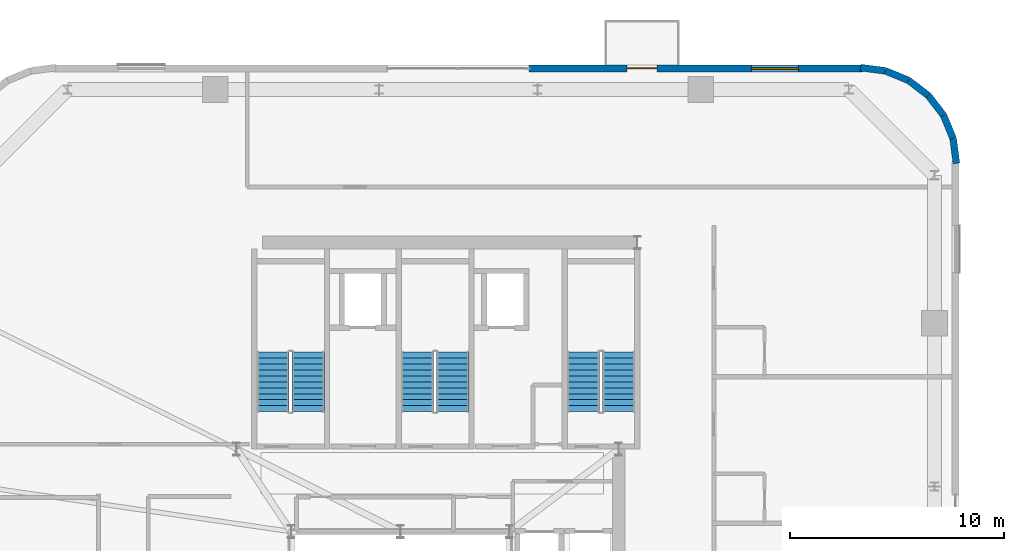
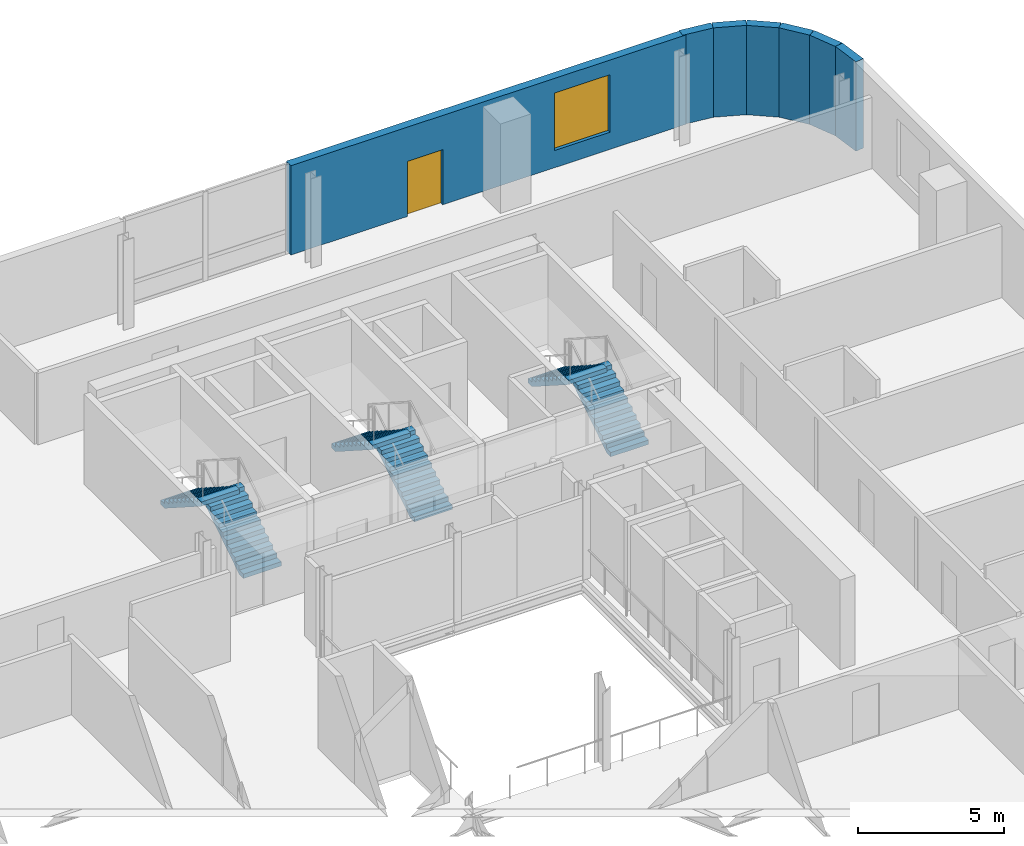
# One storey, part 11 of 15: 7 walls, 6 stair flights, 1 door, 1 window, 2 openings, 3 elements without a shape of their own.
"""IFC4 building model written with IfcOpenShell, lengths in metres."""

from ifc_helpers import new_model, si_unit, direction, frame, frame_2d, origin, place, context, subcontext, project, spatial, polyline, rectangle, outline, extrude, source, transform, mapped, material, layer, layer_set, type_object, element, fill, aggregate, save


model = new_model("IFC4")

# Units and contexts
model_context = context("Model", 3, precision=1e-05, world=origin(), true_north=direction((0.0, 1.0)))
body_context = subcontext(model_context, "Body", "Model", "MODEL_VIEW")
ifc_project = project(units=[si_unit("LENGTHUNIT", "METRE"), si_unit("AREAUNIT", "SQUARE_METRE"), si_unit("VOLUMEUNIT", "CUBIC_METRE"), si_unit("PLANEANGLEUNIT", "RADIAN"), si_unit("MASSUNIT", "GRAM", prefix="KILO")], contexts=[model_context])

# Site, building, storey
site_placement = place(None, origin())
site = spatial("IfcSite", under=ifc_project, at=site_placement, CompositionType="ELEMENT")
building_placement = place(site_placement, origin())
building = spatial("IfcBuilding", under=site, at=building_placement, Name="Vardaveli Station Tower", CompositionType="ELEMENT")
storey_placement = place(building_placement, frame((0.0, 0.0, 246.64990234375)))
storey = spatial("IfcBuildingStorey", under=building, at=storey_placement, Name="L63", CompositionType="ELEMENT", Elevation=246.64990234375)

# Wall, openings, door, window
ifc_material_1 = material(Name="Precast concrete C45/55", Category="concrete")
ifc_layer = layer(ifc_material_1, 0.320068359375, Name="Precast concrete C45/55")
ifc_layer_set = layer_set([ifc_layer], Name="Precast concrete C45/55")
wall_type = type_object("IfcWallType", Name="WAL-EXT-STONE-320", PredefinedType="SOLIDWALL", material=ifc_layer_set)
shared_shape_1 = source(origin(), body_context, "Body", "SweptSolid", [
    extrude(rectangle(XDim=15.599853515625, YDim=0.320068359375, at=frame_2d((7.7998046875, 0.0))), origin(), (0.0, 0.0, 1.0), 3.72998046875),
])
wall_1_placement = place(storey_placement, frame((57.89990234375, 48.43994140625, 0.0), z_axis=(0.0, 0.0, 1.0), x_axis=(-1.0, 0.0, 0.0)))
wall_1 = element("IfcWall", 1, at=wall_1_placement, inside=storey, type_object=wall_type, Name="EW-L63-N1", PredefinedType="SOLIDWALL", context=body_context, shape_type="MappedRepresentation", body=[
    mapped(shared_shape_1, transform((0.0, 0.0, 0.0), scale=1.0)),
])
shared_shape_2 = source(origin(), body_context, "Body", "SweptSolid", [
    extrude(rectangle(XDim=1.39990234375, YDim=2.300048828125, at=frame_2d((0.699951171875, 1.14990234375))), frame((0.0, 0.169921875, 0.0), z_axis=(0.0, -1.0, 0.0), x_axis=(1.0, 0.0, 0.0)), (0.0, 0.0, 1.0), 0.340087890625),
])
opening_1_placement = place(wall_1_placement, frame((9.6103515625, 0.0, 0.0)))
opening_1 = element("IfcOpeningElement", 2, at=opening_1_placement, cuts=wall_1, Name="Opening D-09", PredefinedType="OPENING", context=body_context, shape_type="MappedRepresentation", body=[
    mapped(shared_shape_2, transform((0.0, 0.0, 0.0), scale=1.0)),
])
shared_shape_3 = source(origin(), body_context, "Body", "SweptSolid", [
    extrude(rectangle(XDim=2.199951171875, YDim=2.39990234375, at=frame_2d((1.10009765625, 1.199951171875))), frame((0.0, 0.169921875, 0.0), z_axis=(0.0, -1.0, 0.0), x_axis=(1.0, 0.0, 0.0)), (0.0, 0.0, 1.0), 0.340087890625),
])
opening_2_placement = place(wall_1_placement, frame((3.0048828125, 0.0, 0.719970703125)))
opening_2 = element("IfcOpeningElement", 3, at=opening_2_placement, cuts=wall_1, Name="Opening W-03", PredefinedType="OPENING", context=body_context, shape_type="MappedRepresentation", body=[
    mapped(shared_shape_3, transform((0.0, 0.0, 0.0), scale=1.0)),
])
ifc_material_2 = material(Name="Thermally broken aluminium glass", Category="aluminium")
door_type = type_object("IfcDoorType", Name="DR-LOG-1400x2300", OperationType="DOUBLE_DOOR_SLIDING", PredefinedType="DOOR", material=ifc_material_2)
shared_shape_4 = source(origin(), body_context, "Body", "SweptSolid", [
    extrude(rectangle(XDim=1.39990234375, YDim=2.300048828125, at=frame_2d((0.699951171875, 1.14990234375))), frame((0.0, 0.02490234375, 0.0), z_axis=(0.0, -1.0, 0.0), x_axis=(1.0, 0.0, 0.0)), (0.0, 0.0, 1.0), 0.050048828125),
])
door_placement = place(opening_1_placement, frame((1.39990234375, 0.0, 0.0), z_axis=(0.0, 0.0, 1.0), x_axis=(-1.0, 0.0, 0.0)))
door = element("IfcDoor", 4, at=door_placement, inside=storey, type_object=door_type, Name="DLG-L63-N", OperationType="DOUBLE_DOOR_SLIDING", OverallHeight=2.300048828125, OverallWidth=1.39990234375, PredefinedType="DOOR", context=body_context, shape_type="MappedRepresentation", body=[
    mapped(shared_shape_4, transform((0.0, 0.0, 0.0), scale=1.0)),
])
fill(opening_1, door)
ifc_material_3 = material(Name="Low-E solar-control glass", Category="glass")
window_type = type_object("IfcWindowType", Name="WIN-LOG-2200x2400", PartitioningType="SINGLE_PANEL", PredefinedType="WINDOW", material=ifc_material_3)
shared_shape_5 = source(origin(), body_context, "Body", "SweptSolid", [
    extrude(rectangle(XDim=2.199951171875, YDim=2.39990234375, at=frame_2d((1.10009765625, 1.199951171875))), frame((0.0, 0.030029296875, 0.0), z_axis=(0.0, -1.0, 0.0), x_axis=(1.0, 0.0, 0.0)), (0.0, 0.0, 1.0), 0.06005859375),
])
window_placement = place(opening_2_placement, origin())
window = element("IfcWindow", 5, at=window_placement, inside=storey, type_object=window_type, Name="WN-L63-N1", OverallHeight=2.39990234375, OverallWidth=2.199951171875, PartitioningType="SINGLE_PANEL", PredefinedType="WINDOW", context=body_context, shape_type="MappedRepresentation", body=[
    mapped(shared_shape_5, transform((0.0, 0.0, 0.0), scale=1.0)),
])
fill(opening_2, window)

# Walls
shared_shape_6 = source(origin(), body_context, "Body", "SweptSolid", [
    extrude(rectangle(XDim=1.1689453125, YDim=0.320068359375, at=frame_2d((0.58447265625, 0.0))), origin(), (0.0, 0.0, 1.0), 3.72998046875),
])
wall_2_placement = place(storey_placement, frame((61.679931640625, 46.2412109375, 0.0), z_axis=(0.0, 0.0, 1.0), x_axis=(-0.608387696831, 0.793639975269, 0.0)))
element("IfcWall", 6, at=wall_2_placement, inside=storey, type_object=wall_type, Name="EW-L63-CR3-3", PredefinedType="SOLIDWALL", context=body_context, shape_type="MappedRepresentation", body=[
    mapped(shared_shape_6, transform((0.0, 0.0, 0.0), scale=1.0)),
])
shared_shape_7 = source(origin(), body_context, "Body", "SweptSolid", [
    extrude(rectangle(XDim=1.168701171875, YDim=0.320068359375, at=frame_2d((0.58447265625, 0.0))), origin(), (0.0, 0.0, 1.0), 3.72998046875),
])
wall_3_placement = place(storey_placement, frame((60.96875, 47.1689453125, 0.0), z_axis=(0.0, 0.0, 1.0), x_axis=(-0.793663520347, 0.608356981114, 0.0)))
element("IfcWall", 7, at=wall_3_placement, inside=storey, type_object=wall_type, Name="EW-L63-CR3-4", PredefinedType="SOLIDWALL", context=body_context, shape_type="MappedRepresentation", body=[
    mapped(shared_shape_7, transform((0.0, 0.0, 0.0), scale=1.0)),
])
shared_shape_8 = source(origin(), body_context, "Body", "SweptSolid", [
    extrude(rectangle(XDim=1.17041015625, YDim=0.320068359375, at=frame_2d((0.585205078125, 0.0))), origin(), (0.0, 0.0, 1.0), 3.72998046875),
])
for number, where, z_axis, x_axis, name in (
    (8, (62.275634765625, 43.99951171875, 0.0), (0.0, 0.0, 1.0), (-0.128295670475, 0.991735963317, 0.0), "EW-L63-CR3-1"),
    (9, (58.960205078125, 48.325439453125, 0.0), (0.0, 0.0, 1.0), (-0.991735963317, 0.128295670475, 0.0), "EW-L63-CR3-6"),
):
    element("IfcWall", number, at=place(storey_placement, frame(where, z_axis=z_axis, x_axis=x_axis)), inside=storey, type_object=wall_type, Name=name, PredefinedType="SOLIDWALL", context=body_context, shape_type="MappedRepresentation", body=[
        mapped(shared_shape_8, transform((0.0, 0.0, 0.0), scale=1.0)),
    ])
shared_shape_9 = source(origin(), body_context, "Body", "SweptSolid", [
    extrude(rectangle(XDim=1.169189453125, YDim=0.320068359375, at=frame_2d((0.58447265625, 0.0))), origin(), (0.0, 0.0, 1.0), 3.72998046875),
])
for number, where, z_axis, x_axis, name in (
    (10, (62.12548828125, 45.16015625, 0.0), (0.0, 0.0, 1.0), (-0.381054331552, 0.924552646638, 0.0), "EW-L63-CR3-2"),
    (11, (60.041259765625, 47.8798828125, 0.0), (0.0, 0.0, 1.0), (-0.924552646638, 0.381054331552, 0.0), "EW-L63-CR3-5"),
):
    element("IfcWall", number, at=place(storey_placement, frame(where, z_axis=z_axis, x_axis=x_axis)), inside=storey, type_object=wall_type, Name=name, PredefinedType="SOLIDWALL", context=body_context, shape_type="MappedRepresentation", body=[
        mapped(shared_shape_9, transform((0.0, 0.0, 0.0), scale=1.0)),
    ])

# Stair, stair flights
ifc_material_4 = material(Name="Concrete C40/50", Category="concrete")
stair_type = type_object("IfcStairType", Name="STR-CORE-1500", PredefinedType="HALF_TURN_STAIR", material=ifc_material_4)
stair_1_placement = place(storey_placement, origin())
stair_1 = element("IfcStair", 12, at=stair_1_placement, inside=storey, type_object=stair_type, Name="L63 ST-1", PredefinedType="HALF_TURN_STAIR")
stair_flight_type = type_object("IfcStairFlightType", Name="SFL-CORE-1500", PredefinedType="STRAIGHT", material=ifc_material_4)
shared_shape_10 = source(origin(), body_context, "Body", "SweptSolid", [
    extrude(outline(polyline([(0.0, 0.0), (0.0, 0.179443359375), (0.280029296875, 0.179443359375), (0.280029296875, 0.359130859375), (0.56005859375, 0.359130859375), (0.56005859375, 0.53857421875), (0.840087890625, 0.53857421875), (0.840087890625, 0.71826171875), (1.1201171875, 0.71826171875), (1.1201171875, 0.897705078125), (1.39990234375, 0.897705078125), (1.39990234375, 1.077392578125), (1.679931640625, 1.077392578125), (1.679931640625, 1.2568359375), (1.9599609375, 1.2568359375), (1.9599609375, 1.436279296875), (2.239990234375, 1.436279296875), (2.239990234375, 1.615966796875), (2.52001953125, 1.615966796875), (2.52001953125, 1.79541015625), (2.800048828125, 1.79541015625), (2.800048828125, 1.97509765625), (2.800048828125, 1.617431640625), (0.277587890625, 0.0), (0.0, 0.0)])), frame((0.0, 0.75, 0.0), z_axis=(0.0, -1.0, 0.0), x_axis=(1.0, 0.0, 0.0)), (0.0, 0.0, 1.0), 1.5),
])
stair_flight_1_placement = place(storey_placement, frame((32.0, 32.39990234375, 0.0), z_axis=(0.0, 0.0, 1.0), x_axis=(0.0, 1.0, 0.0)))
stair_flight_1 = element("IfcStairFlight", 13, at=stair_flight_1_placement, type_object=stair_flight_type, Name="ST-1 flight 1", NumberOfRisers=11, NumberOfTreads=10, PredefinedType="STRAIGHT", RiserHeight=0.179545455, TreadLength=0.28, context=body_context, shape_type="MappedRepresentation", body=[
    mapped(shared_shape_10, transform((0.0, 0.0, 0.0), scale=1.0)),
])
stair_flight_2_placement = place(storey_placement, frame((30.35009765625, 35.199951171875, 1.97509765625), z_axis=(0.0, 0.0, 1.0), x_axis=(0.0, -1.0, 0.0)))
stair_flight_2 = element("IfcStairFlight", 14, at=stair_flight_2_placement, type_object=stair_flight_type, Name="ST-1 flight 2", NumberOfRisers=11, NumberOfTreads=10, PredefinedType="STRAIGHT", RiserHeight=0.179545455, TreadLength=0.28, context=body_context, shape_type="MappedRepresentation", body=[
    mapped(shared_shape_10, transform((0.0, 0.0, 0.0), scale=1.0)),
])
aggregate(stair_1, [stair_flight_1, stair_flight_2])

stair_2_placement = place(storey_placement, origin())
stair_2 = element("IfcStair", 15, at=stair_2_placement, inside=storey, type_object=stair_type, Name="L63 ST-2", PredefinedType="HALF_TURN_STAIR")
stair_flight_3_placement = place(storey_placement, frame((38.75, 32.39990234375, 0.0), z_axis=(0.0, 0.0, 1.0), x_axis=(0.0, 1.0, 0.0)))
stair_flight_3 = element("IfcStairFlight", 16, at=stair_flight_3_placement, type_object=stair_flight_type, Name="ST-2 flight 1", NumberOfRisers=11, NumberOfTreads=10, PredefinedType="STRAIGHT", RiserHeight=0.179545455, TreadLength=0.28, context=body_context, shape_type="MappedRepresentation", body=[
    mapped(shared_shape_10, transform((0.0, 0.0, 0.0), scale=1.0)),
])
stair_flight_4_placement = place(storey_placement, frame((37.10009765625, 35.199951171875, 1.97509765625), z_axis=(0.0, 0.0, 1.0), x_axis=(0.0, -1.0, 0.0)))
stair_flight_4 = element("IfcStairFlight", 17, at=stair_flight_4_placement, type_object=stair_flight_type, Name="ST-2 flight 2", NumberOfRisers=11, NumberOfTreads=10, PredefinedType="STRAIGHT", RiserHeight=0.179545455, TreadLength=0.28, context=body_context, shape_type="MappedRepresentation", body=[
    mapped(shared_shape_10, transform((0.0, 0.0, 0.0), scale=1.0)),
])
aggregate(stair_2, [stair_flight_3, stair_flight_4])

stair_3_placement = place(storey_placement, origin())
stair_3 = element("IfcStair", 18, at=stair_3_placement, inside=storey, type_object=stair_type, Name="L63 ST-3", PredefinedType="HALF_TURN_STAIR")
stair_flight_5_placement = place(storey_placement, frame((46.5, 32.39990234375, 0.0), z_axis=(0.0, 0.0, 1.0), x_axis=(0.0, 1.0, 0.0)))
stair_flight_5 = element("IfcStairFlight", 19, at=stair_flight_5_placement, type_object=stair_flight_type, Name="ST-3 flight 1", NumberOfRisers=11, NumberOfTreads=10, PredefinedType="STRAIGHT", RiserHeight=0.179545455, TreadLength=0.28, context=body_context, shape_type="MappedRepresentation", body=[
    mapped(shared_shape_10, transform((0.0, 0.0, 0.0), scale=1.0)),
])
stair_flight_6_placement = place(storey_placement, frame((44.85009765625, 35.199951171875, 1.97509765625), z_axis=(0.0, 0.0, 1.0), x_axis=(0.0, -1.0, 0.0)))
stair_flight_6 = element("IfcStairFlight", 20, at=stair_flight_6_placement, type_object=stair_flight_type, Name="ST-3 flight 2", NumberOfRisers=11, NumberOfTreads=10, PredefinedType="STRAIGHT", RiserHeight=0.179545455, TreadLength=0.28, context=body_context, shape_type="MappedRepresentation", body=[
    mapped(shared_shape_10, transform((0.0, 0.0, 0.0), scale=1.0)),
])
aggregate(stair_3, [stair_flight_5, stair_flight_6])

save(model, "model.ifc")
